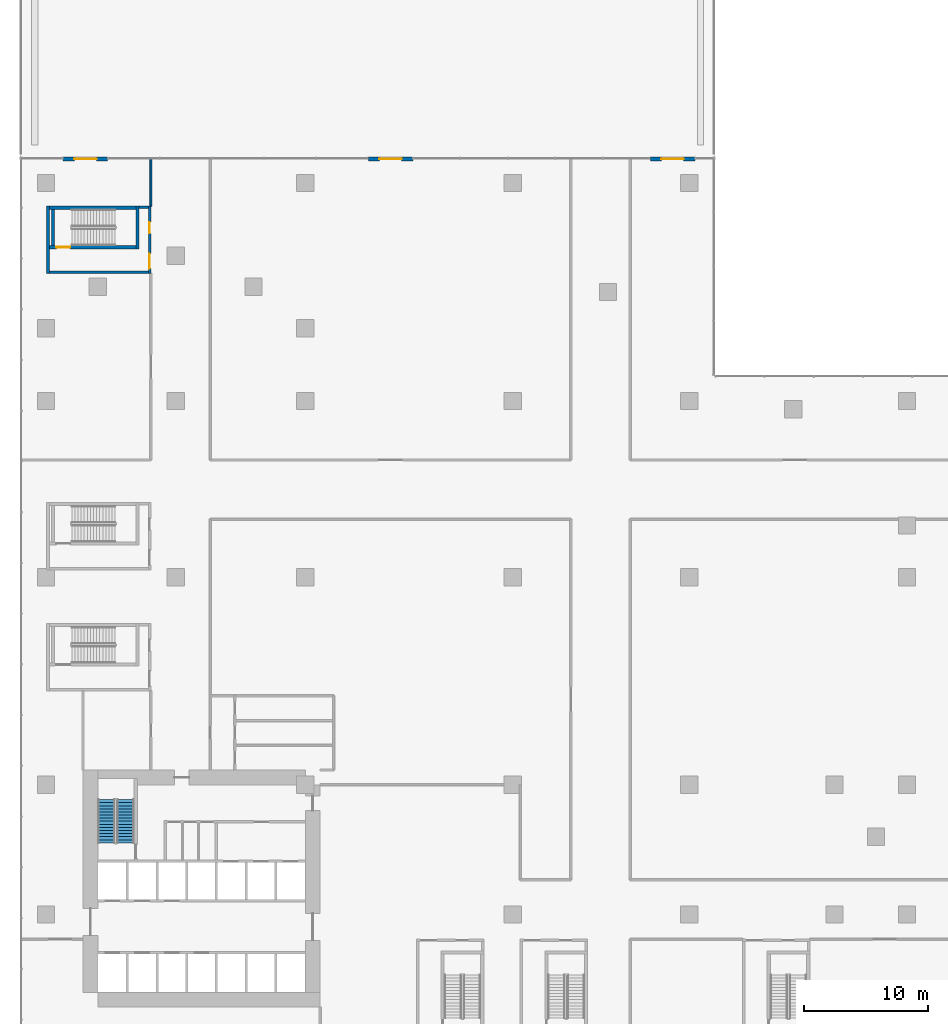
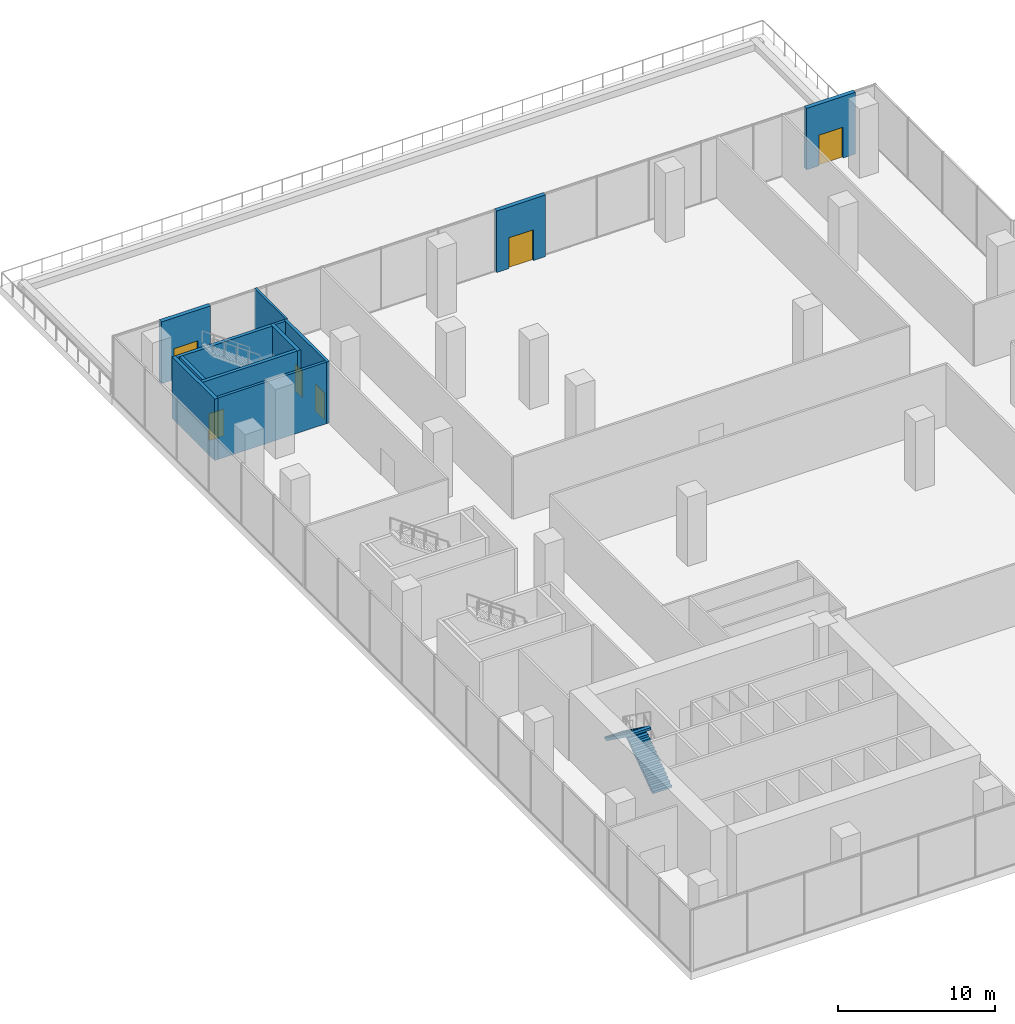
# One storey, part 18 of 24: 12 walls, 6 doors, 2 stair flights, 6 openings, 1 element without a shape of its own.
"""IFC4 building model written with IfcOpenShell, lengths in metres."""

from ifc_helpers import new_model, si_unit, direction, frame, frame_2d, origin, place, context, subcontext, project, spatial, polyline, rectangle, outline, extrude, source, transform, mapped, material, layer, layer_set, type_object, element, fill, aggregate, save


model = new_model("IFC4")

# Units and contexts
model_context = context("Model", 3, precision=1e-05, world=origin(), true_north=direction((0.0, 1.0)))
body_context = subcontext(model_context, "Body", "Model", "MODEL_VIEW")
ifc_project = project(units=[si_unit("LENGTHUNIT", "METRE"), si_unit("AREAUNIT", "SQUARE_METRE"), si_unit("VOLUMEUNIT", "CUBIC_METRE"), si_unit("PLANEANGLEUNIT", "RADIAN"), si_unit("MASSUNIT", "GRAM", prefix="KILO")], contexts=[model_context])

# Site, building, storey
site_placement = place(None, origin())
site = spatial("IfcSite", under=ifc_project, at=site_placement, CompositionType="ELEMENT")
building_placement = place(site_placement, origin())
building = spatial("IfcBuilding", under=site, at=building_placement, Name="Aurelian Terraces", CompositionType="ELEMENT")
storey_placement = place(building_placement, frame((0.0, 0.0, 12.9)))
storey = spatial("IfcBuildingStorey", under=building, at=storey_placement, Name="L02", CompositionType="ELEMENT", Elevation=12.9)

# Wall, opening, door
ifc_material_1 = material(Name="Terracotta rainscreen cladding", Category="masonry")
ifc_layer_1 = layer(ifc_material_1, 0.3)
ifc_layer_set_1 = layer_set([ifc_layer_1], Name="EW-300")
wall_type_1 = type_object("IfcWallType", Name="EW-300", PredefinedType="STANDARD", material=ifc_layer_set_1)
wall_1_placement = place(storey_placement, frame((52.54, 71.67, 0.0), z_axis=(0.0, 0.0, 1.0), x_axis=(-1.0, 0.0, 0.0)))
wall_1 = element("IfcWall", 1, at=wall_1_placement, inside=storey, type_object=wall_type_1, Name="Terrace wall L02 F05", PredefinedType="STANDARD", context=body_context, shape_type="SweptSolid", body=[
    extrude(rectangle(XDim=3.6, YDim=0.3, at=frame_2d((1.8, 0.0))), origin(), (0.0, 0.0, 1.0), 4.8),
])
shared_shape_1 = source(origin(), body_context, "Body", "SweptSolid", [
    extrude(rectangle(XDim=1.8, YDim=2.4, at=frame_2d((0.9, 1.2))), frame((0.0, 0.16, 0.0), z_axis=(0.0, -1.0, 0.0), x_axis=(1.0, 0.0, 0.0)), (0.0, 0.0, 1.0), 0.32),
])
opening_1_placement = place(wall_1_placement, frame((0.9, 0.0, 0.0)))
opening_1 = element("IfcOpeningElement", 2, at=opening_1_placement, cuts=wall_1, Name="Opening 80201", PredefinedType="OPENING", context=body_context, shape_type="MappedRepresentation", body=[
    mapped(shared_shape_1, transform((0.0, 0.0, 0.0), scale=1.0)),
])
ifc_material_2 = material(Name="Clear glazing", Category="glass")
door_type_1 = type_object("IfcDoorType", Name="BD-1800x2400", OperationType="SLIDING_TO_LEFT", PredefinedType="DOOR", material=ifc_material_2)
shared_shape_2 = source(origin(), body_context, "Body", "SweptSolid", [
    extrude(rectangle(XDim=1.8, YDim=2.4, at=frame_2d((0.9, 1.2))), frame((0.0, 0.025, 0.0), z_axis=(0.0, -1.0, 0.0), x_axis=(1.0, 0.0, 0.0)), (0.0, 0.0, 1.0), 0.05),
])
door_1_placement = place(opening_1_placement, origin())
door_1 = element("IfcDoor", 3, at=door_1_placement, inside=storey, type_object=door_type_1, Name="Terrace door L02 F05", OperationType="SLIDING_TO_LEFT", OverallHeight=2.4, OverallWidth=1.8, PredefinedType="DOOR", context=body_context, shape_type="MappedRepresentation", body=[
    mapped(shared_shape_2, transform((0.0, 0.0, 0.0), scale=1.0)),
])
fill(opening_1, door_1)

# Wall
ifc_material_3 = material(Name="Gypsum board on steel studs", Category="steel")
ifc_layer_2 = layer(ifc_material_3, 0.15)
ifc_layer_set_2 = layer_set([ifc_layer_2], Name="Special partition 150")
wall_type_2 = type_object("IfcWallType", Name="Special partition 150", PredefinedType="PARTITIONING", material=ifc_layer_set_2)
wall_2_placement = place(storey_placement, frame((8.5, 67.85, 0.0), z_axis=(0.0, 0.0, 1.0), x_axis=(0.0, 1.0, 0.0)))
element("IfcWall", 4, at=wall_2_placement, inside=storey, type_object=wall_type_2, Name="L02 partition W23", PredefinedType="PARTITIONING", context=body_context, shape_type="SweptSolid", body=[
    extrude(rectangle(XDim=3.97, YDim=0.15, at=frame_2d((1.985, 0.0))), origin(), (0.0, 0.0, 1.0), 4.8),
])

# Wall, opening, door
shared_shape_3 = source(origin(), body_context, "Body", "SweptSolid", [
    extrude(rectangle(XDim=3.6, YDim=0.3, at=frame_2d((1.8, 0.0))), origin(), (0.0, 0.0, 1.0), 4.8),
])
wall_3_placement = place(storey_placement, frame((29.7, 71.67, 0.0), z_axis=(0.0, 0.0, 1.0), x_axis=(-1.0, 0.0, 0.0)))
wall_3 = element("IfcWall", 5, at=wall_3_placement, inside=storey, type_object=wall_type_1, Name="Terrace wall L02 F05", PredefinedType="STANDARD", context=body_context, shape_type="MappedRepresentation", body=[
    mapped(shared_shape_3, transform((0.0, 0.0, 0.0), scale=1.0)),
])
opening_2_placement = place(wall_3_placement, frame((0.9, 0.0, 0.0)))
opening_2 = element("IfcOpeningElement", 6, at=opening_2_placement, cuts=wall_3, Name="Opening 80202", PredefinedType="OPENING", context=body_context, shape_type="MappedRepresentation", body=[
    mapped(shared_shape_1, transform((0.0, 0.0, 0.0), scale=1.0)),
])
door_2_placement = place(opening_2_placement, origin())
door_2 = element("IfcDoor", 7, at=door_2_placement, inside=storey, type_object=door_type_1, Name="Terrace door L02 F05", OperationType="SLIDING_TO_LEFT", OverallHeight=2.4, OverallWidth=1.8, PredefinedType="DOOR", context=body_context, shape_type="MappedRepresentation", body=[
    mapped(shared_shape_2, transform((0.0, 0.0, 0.0), scale=1.0)),
])
fill(opening_2, door_2)

wall_4_placement = place(storey_placement, frame((5.0, 71.67, 0.0), z_axis=(0.0, 0.0, 1.0), x_axis=(-1.0, 0.0, 0.0)))
wall_4 = element("IfcWall", 8, at=wall_4_placement, inside=storey, type_object=wall_type_1, Name="Terrace wall L02 F05", PredefinedType="STANDARD", context=body_context, shape_type="MappedRepresentation", body=[
    mapped(shared_shape_3, transform((0.0, 0.0, 0.0), scale=1.0)),
])
opening_3_placement = place(wall_4_placement, frame((0.9, 0.0, 0.0)))
opening_3 = element("IfcOpeningElement", 9, at=opening_3_placement, cuts=wall_4, Name="Opening 80203", PredefinedType="OPENING", context=body_context, shape_type="MappedRepresentation", body=[
    mapped(shared_shape_1, transform((0.0, 0.0, 0.0), scale=1.0)),
])
door_3_placement = place(opening_3_placement, origin())
door_3 = element("IfcDoor", 10, at=door_3_placement, inside=storey, type_object=door_type_1, Name="Terrace door L02 F05", OperationType="SLIDING_TO_LEFT", OverallHeight=2.4, OverallWidth=1.8, PredefinedType="DOOR", context=body_context, shape_type="MappedRepresentation", body=[
    mapped(shared_shape_2, transform((0.0, 0.0, 0.0), scale=1.0)),
])
fill(opening_3, door_3)

ifc_material_4 = material(Name="Concrete fc' 40 MPa", Category="concrete")
ifc_layer_3 = layer(ifc_material_4, 0.25)
ifc_layer_set_3 = layer_set([ifc_layer_3], Name="Stair enclosure wall 250")
wall_type_3 = type_object("IfcWallType", Name="Stair enclosure wall 250", PredefinedType="SOLIDWALL", material=ifc_layer_set_3)
shared_shape_4 = source(origin(), body_context, "Body", "SweptSolid", [
    extrude(rectangle(XDim=7.0, YDim=0.25, at=frame_2d((3.5, 0.0))), origin(), (0.0, 0.0, 1.0), 4.8),
])
wall_5_placement = place(storey_placement, frame((0.3, 64.525, 0.0), z_axis=(0.0, 0.0, 1.0), x_axis=(1.0, 0.0, 0.0)))
wall_5 = element("IfcWall", 11, at=wall_5_placement, inside=storey, type_object=wall_type_3, Name="L02 core wall ST-S5-W", PredefinedType="SOLIDWALL", context=body_context, shape_type="MappedRepresentation", body=[
    mapped(shared_shape_4, transform((0.0, 0.0, 0.0), scale=1.0)),
])
shared_shape_5 = source(origin(), body_context, "Body", "SweptSolid", [
    extrude(rectangle(XDim=1.1, YDim=2.1, at=frame_2d((0.55, 1.05))), frame((0.0, 0.135, 0.0), z_axis=(0.0, -1.0, 0.0), x_axis=(1.0, 0.0, 0.0)), (0.0, 0.0, 1.0), 0.27),
])
opening_4_placement = place(wall_5_placement, frame((0.55, 0.0, 0.0)))
opening_4 = element("IfcOpeningElement", 12, at=opening_4_placement, cuts=wall_5, Name="Opening 60524", PredefinedType="OPENING", context=body_context, shape_type="MappedRepresentation", body=[
    mapped(shared_shape_5, transform((0.0, 0.0, 0.0), scale=1.0)),
])
ifc_material_5 = material(Name="Steel door leaf", Category="steel")
door_type_2 = type_object("IfcDoorType", Name="Core fire door 1100x2100 right", OperationType="SINGLE_SWING_RIGHT", PredefinedType="DOOR", material=ifc_material_5)
shared_shape_6 = source(origin(), body_context, "Body", "SweptSolid", [
    extrude(rectangle(XDim=1.1, YDim=2.1, at=frame_2d((0.55, 1.05))), frame((0.0, 0.025, 0.0), z_axis=(0.0, -1.0, 0.0), x_axis=(1.0, 0.0, 0.0)), (0.0, 0.0, 1.0), 0.05),
])
door_4_placement = place(opening_4_placement, origin())
door_4 = element("IfcDoor", 13, at=door_4_placement, inside=storey, type_object=door_type_2, Name="Stair door 60524", OperationType="SINGLE_SWING_RIGHT", OverallHeight=2.1, OverallWidth=1.1, PredefinedType="DOOR", context=body_context, shape_type="MappedRepresentation", body=[
    mapped(shared_shape_6, transform((0.0, 0.0, 0.0), scale=1.0)),
])
fill(opening_4, door_4)

# Walls
wall_6_placement = place(storey_placement, frame((0.3, 67.725, 0.0), z_axis=(0.0, 0.0, 1.0), x_axis=(1.0, 0.0, 0.0)))
element("IfcWall", 14, at=wall_6_placement, inside=storey, type_object=wall_type_3, Name="L02 core wall ST-S5-E", PredefinedType="SOLIDWALL", context=body_context, shape_type="MappedRepresentation", body=[
    mapped(shared_shape_4, transform((0.0, 0.0, 0.0), scale=1.0)),
])
shared_shape_7 = source(origin(), body_context, "Body", "SweptSolid", [
    extrude(rectangle(XDim=3.45, YDim=0.25, at=frame_2d((1.725, 0.0))), origin(), (0.0, 0.0, 1.0), 4.8),
])
wall_7_placement = place(storey_placement, frame((7.425, 64.4, 0.0), z_axis=(0.0, 0.0, 1.0), x_axis=(0.0, 1.0, 0.0)))
element("IfcWall", 15, at=wall_7_placement, inside=storey, type_object=wall_type_3, Name="L02 core wall ST-S5-N", PredefinedType="SOLIDWALL", context=body_context, shape_type="MappedRepresentation", body=[
    mapped(shared_shape_7, transform((0.0, 0.0, 0.0), scale=1.0)),
])
shared_shape_8 = source(origin(), body_context, "Body", "SweptSolid", [
    extrude(rectangle(XDim=2.95, YDim=0.25, at=frame_2d((1.475, 0.0))), origin(), (0.0, 0.0, 1.0), 4.8),
])
wall_8_placement = place(storey_placement, frame((0.575, 64.65, 0.0), z_axis=(0.0, 0.0, 1.0), x_axis=(0.0, 1.0, 0.0)))
element("IfcWall", 16, at=wall_8_placement, inside=storey, type_object=wall_type_3, Name="L02 core wall ST-S5-SS", PredefinedType="SOLIDWALL", context=body_context, shape_type="MappedRepresentation", body=[
    mapped(shared_shape_8, transform((0.0, 0.0, 0.0), scale=1.0)),
])
ifc_layer_4 = layer(ifc_material_3, 0.2)
ifc_layer_set_4 = layer_set([ifc_layer_4], Name="Core partition 200")
wall_type_4 = type_object("IfcWallType", Name="Core partition 200", PredefinedType="PARTITIONING", material=ifc_layer_set_4)
shared_shape_9 = source(origin(), body_context, "Body", "SweptSolid", [
    extrude(rectangle(XDim=8.0, YDim=0.2, at=frame_2d((4.0, 0.0))), origin(), (0.0, 0.0, 1.0), 4.8),
])
wall_9_placement = place(storey_placement, frame((0.3, 62.5, 0.0), z_axis=(0.0, 0.0, 1.0), x_axis=(1.0, 0.0, 0.0)))
element("IfcWall", 17, at=wall_9_placement, inside=storey, type_object=wall_type_4, Name="L02 core wall ST-S5-VW", PredefinedType="PARTITIONING", context=body_context, shape_type="MappedRepresentation", body=[
    mapped(shared_shape_9, transform((0.0, 0.0, 0.0), scale=1.0)),
])

# Wall, openings, doors
shared_shape_10 = source(origin(), body_context, "Body", "SweptSolid", [
    extrude(rectangle(XDim=5.45, YDim=0.2, at=frame_2d((2.725, 0.0))), origin(), (0.0, 0.0, 1.0), 4.8),
])
wall_10_placement = place(storey_placement, frame((8.4, 62.4, 0.0), z_axis=(0.0, 0.0, 1.0), x_axis=(0.0, 1.0, 0.0)))
wall_10 = element("IfcWall", 18, at=wall_10_placement, inside=storey, type_object=wall_type_4, Name="L02 core wall ST-S5-BN", PredefinedType="PARTITIONING", context=body_context, shape_type="MappedRepresentation", body=[
    mapped(shared_shape_10, transform((0.0, 0.0, 0.0), scale=1.0)),
])
shared_shape_11 = source(origin(), body_context, "Body", "SweptSolid", [
    extrude(rectangle(XDim=1.2, YDim=2.1, at=frame_2d((0.6, 1.05))), frame((0.0, 0.11, 0.0), z_axis=(0.0, -1.0, 0.0), x_axis=(1.0, 0.0, 0.0)), (0.0, 0.0, 1.0), 0.22),
])
opening_5_placement = place(wall_10_placement, frame((0.4, 0.0, 0.0)))
opening_5 = element("IfcOpeningElement", 19, at=opening_5_placement, cuts=wall_10, Name="Opening 60525", PredefinedType="OPENING", context=body_context, shape_type="MappedRepresentation", body=[
    mapped(shared_shape_11, transform((0.0, 0.0, 0.0), scale=1.0)),
])
shared_shape_12 = source(origin(), body_context, "Body", "SweptSolid", [
    extrude(rectangle(XDim=0.9, YDim=2.1, at=frame_2d((0.45, 1.05))), frame((0.0, 0.11, 0.0), z_axis=(0.0, -1.0, 0.0), x_axis=(1.0, 0.0, 0.0)), (0.0, 0.0, 1.0), 0.22),
])
opening_6_placement = place(wall_10_placement, frame((3.25, 0.0, 0.0)))
opening_6 = element("IfcOpeningElement", 20, at=opening_6_placement, cuts=wall_10, Name="Opening 60526", PredefinedType="OPENING", context=body_context, shape_type="MappedRepresentation", body=[
    mapped(shared_shape_12, transform((0.0, 0.0, 0.0), scale=1.0)),
])
door_type_3 = type_object("IfcDoorType", Name="Core riser door 900x2100 right", OperationType="SINGLE_SWING_RIGHT", PredefinedType="DOOR", material=ifc_material_5)
shared_shape_13 = source(origin(), body_context, "Body", "SweptSolid", [
    extrude(rectangle(XDim=0.9, YDim=2.1, at=frame_2d((0.45, 1.05))), frame((0.0, 0.025, 0.0), z_axis=(0.0, -1.0, 0.0), x_axis=(1.0, 0.0, 0.0)), (0.0, 0.0, 1.0), 0.05),
])
door_5_placement = place(opening_6_placement, origin())
door_5 = element("IfcDoor", 21, at=door_5_placement, inside=storey, type_object=door_type_3, Name="Riser door 60526", OperationType="SINGLE_SWING_RIGHT", OverallHeight=2.1, OverallWidth=0.9, PredefinedType="DOOR", context=body_context, shape_type="MappedRepresentation", body=[
    mapped(shared_shape_13, transform((0.0, 0.0, 0.0), scale=1.0)),
])
fill(opening_6, door_5)
door_type_4 = type_object("IfcDoorType", Name="Core fire door 1200x2100", OperationType="SINGLE_SWING_LEFT", PredefinedType="DOOR", material=ifc_material_5)
shared_shape_14 = source(origin(), body_context, "Body", "SweptSolid", [
    extrude(rectangle(XDim=1.2, YDim=2.1, at=frame_2d((0.6, 1.05))), frame((0.0, 0.025, 0.0), z_axis=(0.0, -1.0, 0.0), x_axis=(1.0, 0.0, 0.0)), (0.0, 0.0, 1.0), 0.05),
])
door_6_placement = place(opening_5_placement, origin())
door_6 = element("IfcDoor", 22, at=door_6_placement, inside=storey, type_object=door_type_4, Name="Vestibule door 60525", OperationType="SINGLE_SWING_LEFT", OverallHeight=2.1, OverallWidth=1.2, PredefinedType="DOOR", context=body_context, shape_type="MappedRepresentation", body=[
    mapped(shared_shape_14, transform((0.0, 0.0, 0.0), scale=1.0)),
])
fill(opening_5, door_6)

# Walls
shared_shape_15 = source(origin(), body_context, "Body", "SweptSolid", [
    extrude(rectangle(XDim=0.75, YDim=0.2, at=frame_2d((0.375, 0.0))), origin(), (0.0, 0.0, 1.0), 4.8),
])
wall_11_placement = place(storey_placement, frame((7.55, 67.75, 0.0), z_axis=(0.0, 0.0, 1.0), x_axis=(1.0, 0.0, 0.0)))
element("IfcWall", 23, at=wall_11_placement, inside=storey, type_object=wall_type_4, Name="L02 core wall ST-S5-RE", PredefinedType="PARTITIONING", context=body_context, shape_type="MappedRepresentation", body=[
    mapped(shared_shape_15, transform((0.0, 0.0, 0.0), scale=1.0)),
])
shared_shape_16 = source(origin(), body_context, "Body", "SweptSolid", [
    extrude(rectangle(XDim=5.45, YDim=0.25, at=frame_2d((2.725, 0.0))), origin(), (0.0, 0.0, 1.0), 4.8),
])
wall_12_placement = place(storey_placement, frame((0.175, 62.4, 0.0), z_axis=(0.0, 0.0, 1.0), x_axis=(0.0, 1.0, 0.0)))
element("IfcWall", 24, at=wall_12_placement, inside=storey, type_object=wall_type_3, Name="L02 core wall ST-S5-S", PredefinedType="SOLIDWALL", context=body_context, shape_type="MappedRepresentation", body=[
    mapped(shared_shape_16, transform((0.0, 0.0, 0.0), scale=1.0)),
])

# Stair, stair flights
stair_type = type_object("IfcStairType", Name="Stair 1400", PredefinedType="HALF_TURN_STAIR", material=ifc_material_4)
stair_placement = place(storey_placement, origin())
stair = element("IfcStair", 25, at=stair_placement, inside=storey, type_object=stair_type, Name="L02 S1", PredefinedType="HALF_TURN_STAIR")
stair_flight_type = type_object("IfcStairFlightType", Name="Stair flight 1400", PredefinedType="STRAIGHT", material=ifc_material_4)
shared_shape_17 = source(origin(), body_context, "Body", "SweptSolid", [
    extrude(outline(polyline([(0.0, 0.0), (0.0, 0.18), (0.25, 0.18), (0.25, 0.36), (0.5, 0.36), (0.5, 0.54), (0.75, 0.54), (0.75, 0.72), (1.0, 0.72), (1.0, 0.9), (1.25, 0.9), (1.25, 1.08), (1.5, 1.08), (1.5, 1.26), (1.75, 1.26), (1.75, 1.44), (2.0, 1.44), (2.0, 1.62), (2.25, 1.62), (2.25, 1.8), (2.5, 1.8), (2.5, 1.98), (2.75, 1.98), (2.75, 2.16), (3.0, 2.16), (3.0, 2.34), (3.25, 2.34), (3.25, 2.52), (3.5, 2.52), (3.5, 2.7), (3.5, 2.3352), (0.2567, 0.0), (0.0, 0.0)])), frame((0.0, 0.7, 0.0), z_axis=(0.0, -1.0, 0.0), x_axis=(1.0, 0.0, 0.0)), (0.0, 0.0, 1.0), 1.4),
])
stair_flight_1_placement = place(storey_placement, frame((6.45, 16.3, 2e-08), z_axis=(0.0, 0.0, 1.0), x_axis=(0.0, 1.0, 0.0)))
stair_flight_1 = element("IfcStairFlight", 26, at=stair_flight_1_placement, type_object=stair_flight_type, Name="S1 flight 1", NumberOfRisers=15, NumberOfTreads=14, PredefinedType="STRAIGHT", RiserHeight=0.18, TreadLength=0.25, context=body_context, shape_type="MappedRepresentation", body=[
    mapped(shared_shape_17, transform((0.0, 0.0, 0.0), scale=1.0)),
])
stair_flight_2_placement = place(storey_placement, frame((4.9, 19.8, 2.700000019999999), z_axis=(0.0, 0.0, 1.0), x_axis=(0.0, -1.0, 0.0)))
stair_flight_2 = element("IfcStairFlight", 27, at=stair_flight_2_placement, type_object=stair_flight_type, Name="S1 flight 2", NumberOfRisers=15, NumberOfTreads=14, PredefinedType="STRAIGHT", RiserHeight=0.18, TreadLength=0.25, context=body_context, shape_type="MappedRepresentation", body=[
    mapped(shared_shape_17, transform((0.0, 0.0, 0.0), scale=1.0)),
])
aggregate(stair, [stair_flight_1, stair_flight_2])

save(model, "model.ifc")
